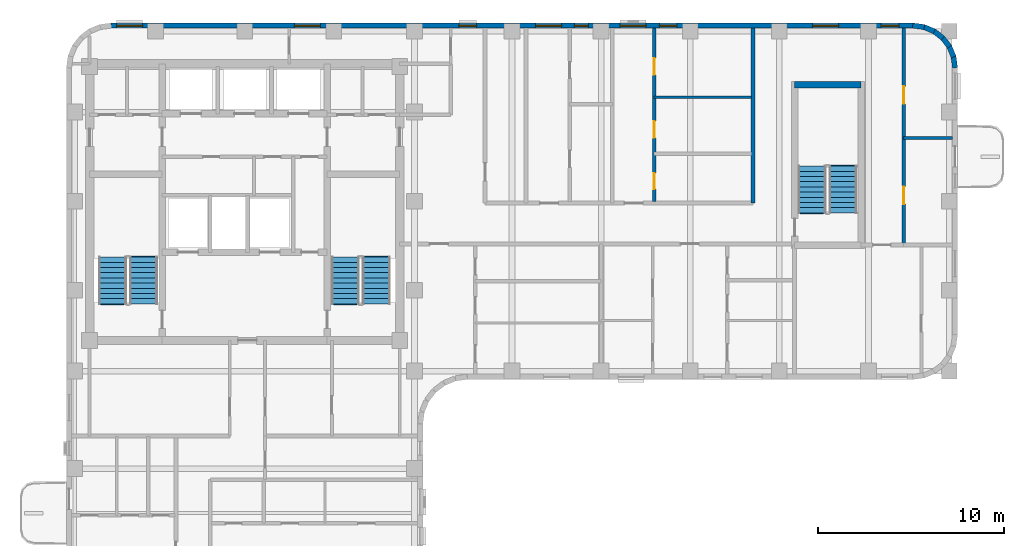
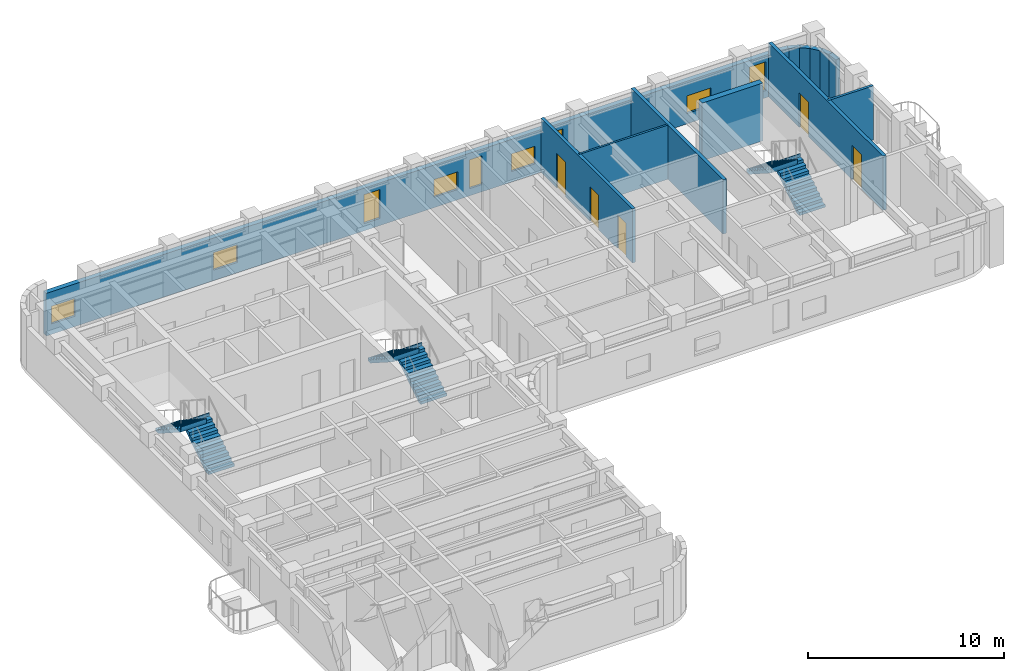
# One storey, part 7 of 10: 13 walls, 9 windows, 6 stair flights, 5 doors, 14 openings, 3 elements without a shape of their own.
"""IFC4 building model written with IfcOpenShell, lengths in metres."""

from ifc_helpers import new_model, si_unit, direction, frame, frame_2d, origin, place, context, subcontext, project, spatial, polyline, rectangle, outline, extrude, material, layer, layer_set, type_object, element, fill, aggregate, save


model = new_model("IFC4")

# Units and contexts
model_context = context("Model", 3, precision=1e-05, world=origin(), true_north=direction((0.0, 1.0)))
body_context = subcontext(model_context, "Body", "Model", "MODEL_VIEW")
ifc_project = project(units=[si_unit("LENGTHUNIT", "METRE"), si_unit("AREAUNIT", "SQUARE_METRE"), si_unit("VOLUMEUNIT", "CUBIC_METRE"), si_unit("PLANEANGLEUNIT", "RADIAN"), si_unit("MASSUNIT", "GRAM", prefix="KILO")], contexts=[model_context])

# Site, building, storey
site_placement = place(None, origin())
site = spatial("IfcSite", under=ifc_project, at=site_placement, CompositionType="ELEMENT")
building_placement = place(site_placement, origin())
building = spatial("IfcBuilding", under=site, at=building_placement, Name="Orvandelia Arch Residences", CompositionType="ELEMENT")
storey_placement = place(building_placement, frame((0.0, 0.0, 218.199951171875)))
storey = spatial("IfcBuildingStorey", under=building, at=storey_placement, Name="L57", CompositionType="ELEMENT", Elevation=218.199951171875)

# Walls
ifc_material_1 = material(Name="Concrete C50/60", Category="concrete")
ifc_layer_1 = layer(ifc_material_1, 0.35009765625, Name="Concrete C50/60", Category="concrete")
ifc_layer_set_1 = layer_set([ifc_layer_1], Name="Concrete C50/60")
wall_type_1 = type_object("IfcWallType", Name="WL-CORE-350", PredefinedType="SHEAR", material=ifc_layer_set_1)
wall_1_placement = place(storey_placement, frame((44.02001953125, 44.659912109375, 0.0), z_axis=(0.0, 0.0, 1.0), x_axis=(1.0, 0.0, 0.0)))
element("IfcWall", 1, at=wall_1_placement, inside=storey, type_object=wall_type_1, Name="East Stair Core Shear Wall L57-N", PredefinedType="SHEAR", context=body_context, shape_type="SweptSolid", body=[
    extrude(rectangle(XDim=3.580078125, YDim=0.35009765625, at=frame_2d((1.7900390625, 0.0))), origin(), (0.0, 0.0, 1.0), 3.60009765625),
])
ifc_material_2 = material(Name="Fire-Rated Corridor Partition")
ifc_layer_2 = layer(ifc_material_2, 0.199951171875, Name="Fire-Rated Corridor Partition")
ifc_layer_set_2 = layer_set([ifc_layer_2], Name="Fire-Rated Corridor Partition")
wall_type_2 = type_object("IfcWallType", Name="WL-CORR-200", PredefinedType="PARTITIONING", material=ifc_layer_set_2)
wall_2_placement = place(storey_placement, frame((41.780029296875, 38.300048828125, 0.0), z_axis=(0.0, 0.0, 1.0), x_axis=(0.0, 1.0, 0.0)))
element("IfcWall", 2, at=wall_2_placement, inside=storey, type_object=wall_type_2, Name="Interior Partition Wall WL-L57-ETV-W", PredefinedType="PARTITIONING", context=body_context, shape_type="SweptSolid", body=[
    extrude(rectangle(XDim=9.419921875, YDim=0.199951171875, at=frame_2d((4.7099609375, 0.0))), origin(), (0.0, 0.0, 1.0), 3.380126953125),
])

# Wall, openings, doors
wall_3_placement = place(storey_placement, frame((49.89990234375, 36.0400390625, 0.0), z_axis=(0.0, 0.0, 1.0), x_axis=(0.0, 1.0, 0.0)))
wall_3 = element("IfcWall", 3, at=wall_3_placement, inside=storey, type_object=wall_type_2, Name="Interior Partition Wall WL-L57-ETE-E", PredefinedType="PARTITIONING", context=body_context, shape_type="SweptSolid", body=[
    extrude(rectangle(XDim=11.679931640625, YDim=0.199951171875, at=frame_2d((5.83984375, 0.0))), origin(), (0.0, 0.0, 1.0), 3.380126953125),
])
opening_1_placement = place(wall_3_placement, frame((2.199951171875, 0.0, 0.0)))
opening_1 = element("IfcOpeningElement", 4, at=opening_1_placement, cuts=wall_3, Name="Opening D2", PredefinedType="OPENING", context=body_context, shape_type="SweptSolid", body=[
    extrude(rectangle(XDim=0.949951171875, YDim=2.14990234375, at=frame_2d((0.47509765625, 1.074951171875))), frame((0.0, 0.10986328125, 0.0), z_axis=(0.0, -1.0, 0.0), x_axis=(1.0, 0.0, 0.0)), (0.0, 0.0, 1.0), 0.219970703125),
])
opening_2_placement = place(wall_3_placement, frame((7.60009765625, 0.0, 0.0)))
opening_2 = element("IfcOpeningElement", 5, at=opening_2_placement, cuts=wall_3, Name="Opening D2", PredefinedType="OPENING", context=body_context, shape_type="SweptSolid", body=[
    extrude(rectangle(XDim=0.949951171875, YDim=2.14990234375, at=frame_2d((0.47509765625, 1.074951171875))), frame((0.0, 0.10986328125, 0.0), z_axis=(0.0, -1.0, 0.0), x_axis=(1.0, 0.0, 0.0)), (0.0, 0.0, 1.0), 0.219970703125),
])
ifc_material_3 = material(Name="Solid-Core Timber Interior Fire Door", Category="wood")
door_type_1 = type_object("IfcDoorType", Name="DR-APT-950", OperationType="NOTDEFINED", PredefinedType="DOOR", material=ifc_material_3)
door_1_placement = place(opening_1_placement, origin())
door_1 = element("IfcDoor", 6, at=door_1_placement, inside=storey, type_object=door_type_1, Name="DR-L57-EMTP1", OperationType="SINGLE_SWING_LEFT", OverallHeight=2.14990234375, OverallWidth=0.949951171875, PredefinedType="DOOR", context=body_context, shape_type="SweptSolid", body=[
    extrude(rectangle(XDim=0.949951171875, YDim=2.14990234375, at=frame_2d((0.47509765625, 1.074951171875))), frame((0.0, 0.02490234375, 0.0), z_axis=(0.0, -1.0, 0.0), x_axis=(1.0, 0.0, 0.0)), (0.0, 0.0, 1.0), 0.050048828125),
])
fill(opening_1, door_1)
door_2_placement = place(opening_2_placement, origin())
door_2 = element("IfcDoor", 7, at=door_2_placement, inside=storey, type_object=door_type_1, Name="DR-L57-EMTP2", OperationType="SINGLE_SWING_RIGHT", OverallHeight=2.14990234375, OverallWidth=0.949951171875, PredefinedType="DOOR", context=body_context, shape_type="SweptSolid", body=[
    extrude(rectangle(XDim=0.949951171875, YDim=2.14990234375, at=frame_2d((0.47509765625, 1.074951171875))), frame((0.0, 0.02490234375, 0.0), z_axis=(0.0, -1.0, 0.0), x_axis=(1.0, 0.0, 0.0)), (0.0, 0.0, 1.0), 0.050048828125),
])
fill(opening_2, door_2)

# Wall, openings, windows
ifc_material_4 = material(Name="Precast concrete C40/50", Category="concrete")
ifc_layer_3 = layer(ifc_material_4, 0.280029296875, Name="Precast concrete C40/50", Category="concrete")
ifc_layer_set_3 = layer_set([ifc_layer_3], Name="Precast concrete C40/50")
wall_type_3 = type_object("IfcWallType", Name="WL-EXT-STONE-280", PredefinedType="STANDARD", material=ifc_layer_set_3)
wall_4_placement = place(storey_placement, frame((7.199951171875, 47.860107421875, 0.0), z_axis=(0.0, 0.0, 1.0), x_axis=(1.0, 0.0, 0.0)))
wall_4 = element("IfcWall", 8, at=wall_4_placement, inside=storey, type_object=wall_type_3, Name="Coral-Limestone Precast Facade Wall L57-007", PredefinedType="STANDARD", context=body_context, shape_type="SweptSolid", body=[
    extrude(rectangle(XDim=43.199951171875, YDim=0.280029296875, at=frame_2d((21.60009765625, 0.0))), origin(), (0.0, 0.0, 1.0), 2.66015625),
])
opening_3_placement = place(wall_4_placement, frame((22.8701171875, 0.0, 0.64990234375)))
opening_3 = element("IfcOpeningElement", 9, at=opening_3_placement, cuts=wall_4, Name="Opening W10", PredefinedType="OPENING", context=body_context, shape_type="SweptSolid", body=[
    extrude(rectangle(XDim=1.39990234375, YDim=1.10009765625, at=frame_2d((0.699951171875, 0.550048828125))), frame((0.0, 0.14990234375, 0.0), z_axis=(0.0, -1.0, 0.0), x_axis=(1.0, 0.0, 0.0)), (0.0, 0.0, 1.0), 0.300048828125),
])
opening_4_placement = place(wall_4_placement, frame((29.532470703125, 0.0, 0.449951171875)))
opening_4 = element("IfcOpeningElement", 10, at=opening_4_placement, cuts=wall_4, Name="Opening W4", PredefinedType="OPENING", context=body_context, shape_type="SweptSolid", body=[
    extrude(rectangle(XDim=0.949951171875, YDim=1.800048828125, at=frame_2d((0.47509765625, 0.89990234375))), frame((0.0, 0.14990234375, 0.0), z_axis=(0.0, -1.0, 0.0), x_axis=(1.0, 0.0, 0.0)), (0.0, 0.0, 1.0), 0.300048828125),
])
opening_5_placement = place(wall_4_placement, frame((18.739990234375, 0.0, 0.449951171875)))
opening_5 = element("IfcOpeningElement", 11, at=opening_5_placement, cuts=wall_4, Name="Opening W4", PredefinedType="OPENING", context=body_context, shape_type="SweptSolid", body=[
    extrude(rectangle(XDim=0.949951171875, YDim=1.800048828125, at=frame_2d((0.47509765625, 0.89990234375))), frame((0.0, 0.14990234375, 0.0), z_axis=(0.0, -1.0, 0.0), x_axis=(1.0, 0.0, 0.0)), (0.0, 0.0, 1.0), 0.300048828125),
])
opening_6_placement = place(wall_4_placement, frame((41.487548828125, 0.0, 0.449951171875)))
opening_6 = element("IfcOpeningElement", 12, at=opening_6_placement, cuts=wall_4, Name="Opening W4", PredefinedType="OPENING", context=body_context, shape_type="SweptSolid", body=[
    extrude(rectangle(XDim=0.949951171875, YDim=1.800048828125, at=frame_2d((0.47509765625, 0.89990234375))), frame((0.0, 0.14990234375, 0.0), z_axis=(0.0, -1.0, 0.0), x_axis=(1.0, 0.0, 0.0)), (0.0, 0.0, 1.0), 0.300048828125),
])
opening_7_placement = place(wall_4_placement, frame((37.798583984375, 0.0, 0.64990234375)))
opening_7 = element("IfcOpeningElement", 13, at=opening_7_placement, cuts=wall_4, Name="Opening W10", PredefinedType="OPENING", context=body_context, shape_type="SweptSolid", body=[
    extrude(rectangle(XDim=1.39990234375, YDim=1.10009765625, at=frame_2d((0.699951171875, 0.550048828125))), frame((0.0, 0.14990234375, 0.0), z_axis=(0.0, -1.0, 0.0), x_axis=(1.0, 0.0, 0.0)), (0.0, 0.0, 1.0), 0.300048828125),
])
opening_8_placement = place(wall_4_placement, frame((0.3076171875, 0.0, 0.64990234375)))
opening_8 = element("IfcOpeningElement", 14, at=opening_8_placement, cuts=wall_4, Name="Opening W10", PredefinedType="OPENING", context=body_context, shape_type="SweptSolid", body=[
    extrude(rectangle(XDim=1.39990234375, YDim=1.10009765625, at=frame_2d((0.699951171875, 0.550048828125))), frame((0.0, 0.14990234375, 0.0), z_axis=(0.0, -1.0, 0.0), x_axis=(1.0, 0.0, 0.0)), (0.0, 0.0, 1.0), 0.300048828125),
])
opening_9_placement = place(wall_4_placement, frame((9.87744140625, 0.0, 0.64990234375)))
opening_9 = element("IfcOpeningElement", 15, at=opening_9_placement, cuts=wall_4, Name="Opening W10", PredefinedType="OPENING", context=body_context, shape_type="SweptSolid", body=[
    extrude(rectangle(XDim=1.39990234375, YDim=1.10009765625, at=frame_2d((0.699951171875, 0.550048828125))), frame((0.0, 0.14990234375, 0.0), z_axis=(0.0, -1.0, 0.0), x_axis=(1.0, 0.0, 0.0)), (0.0, 0.0, 1.0), 0.300048828125),
])
opening_10_placement = place(wall_4_placement, frame((24.95751953125, 0.0, 0.449951171875)))
opening_10 = element("IfcOpeningElement", 16, at=opening_10_placement, cuts=wall_4, Name="Opening W11", PredefinedType="OPENING", context=body_context, shape_type="SweptSolid", body=[
    extrude(rectangle(XDim=0.75, YDim=1.800048828125, at=frame_2d((0.375, 0.89990234375))), frame((0.0, 0.14990234375, 0.0), z_axis=(0.0, -1.0, 0.0), x_axis=(1.0, 0.0, 0.0)), (0.0, 0.0, 1.0), 0.300048828125),
])
opening_11_placement = place(wall_4_placement, frame((27.429931640625, 0.0, 0.64990234375)))
opening_11 = element("IfcOpeningElement", 17, at=opening_11_placement, cuts=wall_4, Name="Opening W10", PredefinedType="OPENING", context=body_context, shape_type="SweptSolid", body=[
    extrude(rectangle(XDim=1.39990234375, YDim=1.10009765625, at=frame_2d((0.699951171875, 0.550048828125))), frame((0.0, 0.14990234375, 0.0), z_axis=(0.0, -1.0, 0.0), x_axis=(1.0, 0.0, 0.0)), (0.0, 0.0, 1.0), 0.300048828125),
])
ifc_material_5 = material(Name="Tempered Low-E Insulated Glazing", Category="glass")
window_type_1 = type_object("IfcWindowType", Name="WIN-BED-0750x1800", PartitioningType="SINGLE_PANEL", PredefinedType="WINDOW", material=ifc_material_5)
window_1_placement = place(opening_10_placement, origin())
window_1 = element("IfcWindow", 18, at=window_1_placement, inside=storey, type_object=window_type_1, Name="Recessed Punched Window L57-008", OverallHeight=1.800048828125, OverallWidth=0.75, PartitioningType="SINGLE_PANEL", PredefinedType="WINDOW", context=body_context, shape_type="SweptSolid", body=[
    extrude(rectangle(XDim=0.75, YDim=1.800048828125, at=frame_2d((0.375, 0.89990234375))), frame((0.0, 0.030029296875, 0.0), z_axis=(0.0, -1.0, 0.0), x_axis=(1.0, 0.0, 0.0)), (0.0, 0.0, 1.0), 0.06005859375),
])
fill(opening_10, window_1)
window_type_2 = type_object("IfcWindowType", Name="WIN-CLR-1400x1100", PartitioningType="SINGLE_PANEL", PredefinedType="WINDOW", material=ifc_material_5)
window_2_placement = place(opening_3_placement, origin())
window_2 = element("IfcWindow", 19, at=window_2_placement, inside=storey, type_object=window_type_2, Name="Recessed Punched Window L57-001", OverallHeight=1.10009765625, OverallWidth=1.39990234375, PartitioningType="SINGLE_PANEL", PredefinedType="WINDOW", context=body_context, shape_type="SweptSolid", body=[
    extrude(rectangle(XDim=1.39990234375, YDim=1.10009765625, at=frame_2d((0.699951171875, 0.550048828125))), frame((0.0, 0.030029296875, 0.0), z_axis=(0.0, -1.0, 0.0), x_axis=(1.0, 0.0, 0.0)), (0.0, 0.0, 1.0), 0.06005859375),
])
fill(opening_3, window_2)
window_3_placement = place(opening_7_placement, origin())
window_3 = element("IfcWindow", 20, at=window_3_placement, inside=storey, type_object=window_type_2, Name="Recessed Punched Window L57-005", OverallHeight=1.10009765625, OverallWidth=1.39990234375, PartitioningType="SINGLE_PANEL", PredefinedType="WINDOW", context=body_context, shape_type="SweptSolid", body=[
    extrude(rectangle(XDim=1.39990234375, YDim=1.10009765625, at=frame_2d((0.699951171875, 0.550048828125))), frame((0.0, 0.030029296875, 0.0), z_axis=(0.0, -1.0, 0.0), x_axis=(1.0, 0.0, 0.0)), (0.0, 0.0, 1.0), 0.06005859375),
])
fill(opening_7, window_3)
window_4_placement = place(opening_8_placement, origin())
window_4 = element("IfcWindow", 21, at=window_4_placement, inside=storey, type_object=window_type_2, Name="Recessed Punched Window L57-006", OverallHeight=1.10009765625, OverallWidth=1.39990234375, PartitioningType="SINGLE_PANEL", PredefinedType="WINDOW", context=body_context, shape_type="SweptSolid", body=[
    extrude(rectangle(XDim=1.39990234375, YDim=1.10009765625, at=frame_2d((0.699951171875, 0.550048828125))), frame((0.0, 0.030029296875, 0.0), z_axis=(0.0, -1.0, 0.0), x_axis=(1.0, 0.0, 0.0)), (0.0, 0.0, 1.0), 0.06005859375),
])
fill(opening_8, window_4)
window_5_placement = place(opening_9_placement, origin())
window_5 = element("IfcWindow", 22, at=window_5_placement, inside=storey, type_object=window_type_2, Name="Recessed Punched Window L57-007", OverallHeight=1.10009765625, OverallWidth=1.39990234375, PartitioningType="SINGLE_PANEL", PredefinedType="WINDOW", context=body_context, shape_type="SweptSolid", body=[
    extrude(rectangle(XDim=1.39990234375, YDim=1.10009765625, at=frame_2d((0.699951171875, 0.550048828125))), frame((0.0, 0.030029296875, 0.0), z_axis=(0.0, -1.0, 0.0), x_axis=(1.0, 0.0, 0.0)), (0.0, 0.0, 1.0), 0.06005859375),
])
fill(opening_9, window_5)
window_6_placement = place(opening_11_placement, origin())
window_6 = element("IfcWindow", 23, at=window_6_placement, inside=storey, type_object=window_type_2, Name="Recessed Punched Window L57-009", OverallHeight=1.10009765625, OverallWidth=1.39990234375, PartitioningType="SINGLE_PANEL", PredefinedType="WINDOW", context=body_context, shape_type="SweptSolid", body=[
    extrude(rectangle(XDim=1.39990234375, YDim=1.10009765625, at=frame_2d((0.699951171875, 0.550048828125))), frame((0.0, 0.030029296875, 0.0), z_axis=(0.0, -1.0, 0.0), x_axis=(1.0, 0.0, 0.0)), (0.0, 0.0, 1.0), 0.06005859375),
])
fill(opening_11, window_6)
window_type_3 = type_object("IfcWindowType", Name="WIN-RES-0950x1800", PartitioningType="SINGLE_PANEL", PredefinedType="WINDOW", material=ifc_material_5)
window_7_placement = place(opening_4_placement, origin())
window_7 = element("IfcWindow", 24, at=window_7_placement, inside=storey, type_object=window_type_3, Name="Recessed Punched Window L57-002", OverallHeight=1.800048828125, OverallWidth=0.949951171875, PartitioningType="SINGLE_PANEL", PredefinedType="WINDOW", context=body_context, shape_type="SweptSolid", body=[
    extrude(rectangle(XDim=0.949951171875, YDim=1.800048828125, at=frame_2d((0.47509765625, 0.89990234375))), frame((0.0, 0.030029296875, 0.0), z_axis=(0.0, -1.0, 0.0), x_axis=(1.0, 0.0, 0.0)), (0.0, 0.0, 1.0), 0.06005859375),
])
fill(opening_4, window_7)
window_8_placement = place(opening_5_placement, origin())
window_8 = element("IfcWindow", 25, at=window_8_placement, inside=storey, type_object=window_type_3, Name="Recessed Punched Window L57-003", OverallHeight=1.800048828125, OverallWidth=0.949951171875, PartitioningType="SINGLE_PANEL", PredefinedType="WINDOW", context=body_context, shape_type="SweptSolid", body=[
    extrude(rectangle(XDim=0.949951171875, YDim=1.800048828125, at=frame_2d((0.47509765625, 0.89990234375))), frame((0.0, 0.030029296875, 0.0), z_axis=(0.0, -1.0, 0.0), x_axis=(1.0, 0.0, 0.0)), (0.0, 0.0, 1.0), 0.06005859375),
])
fill(opening_5, window_8)
window_9_placement = place(opening_6_placement, origin())
window_9 = element("IfcWindow", 26, at=window_9_placement, inside=storey, type_object=window_type_3, Name="Recessed Punched Window L57-004", OverallHeight=1.800048828125, OverallWidth=0.949951171875, PartitioningType="SINGLE_PANEL", PredefinedType="WINDOW", context=body_context, shape_type="SweptSolid", body=[
    extrude(rectangle(XDim=0.949951171875, YDim=1.800048828125, at=frame_2d((0.47509765625, 0.89990234375))), frame((0.0, 0.030029296875, 0.0), z_axis=(0.0, -1.0, 0.0), x_axis=(1.0, 0.0, 0.0)), (0.0, 0.0, 1.0), 0.06005859375),
])
fill(opening_6, window_9)

# Walls
wall_5_placement = place(storey_placement, frame((50.381591796875, 47.861083984375, 0.0), z_axis=(0.0, 0.0, 1.0), x_axis=(0.991447664465, -0.130504898859, 0.0)))
element("IfcWall", 27, at=wall_5_placement, inside=storey, type_object=wall_type_3, Name="Coral-Limestone Precast Facade Wall L57-008", PredefinedType="STANDARD", context=body_context, shape_type="SweptSolid", body=[
    extrude(rectangle(XDim=0.626708984375, YDim=0.280029296875, at=frame_2d((0.3134765625, 0.0))), origin(), (0.0, 0.0, 1.0), 2.66015625),
])
for number, where, z_axis, x_axis, name in (
    (28, (50.967529296875, 47.788818359375, 0.0), (0.0, 0.0, 1.0), (0.924031075431, -0.382317370307, 0.0), "Coral-Limestone Precast Facade Wall L57-009"),
    (29, (51.514892578125, 47.5673828125, 0.0), (0.0, 0.0, 1.0), (0.793405610854, -0.608693302629, 0.0), "Coral-Limestone Precast Facade Wall L57-010"),
    (30, (51.986083984375, 47.2119140625, 0.0), (0.0, 0.0, 1.0), (0.608693302629, -0.793405610854, 0.0), "Coral-Limestone Precast Facade Wall L57-011"),
    (31, (52.34912109375, 46.746337890625, 0.0), (0.0, 0.0, 1.0), (0.382650053678, -0.92389335771, 0.0), "Coral-Limestone Precast Facade Wall L57-012"),
    (32, (52.579345703125, 46.202880859375, 0.0), (0.0, 0.0, 1.0), (0.130555323746, -0.9914410257, 0.0), "Coral-Limestone Precast Facade Wall L57-013"),
):
    element("IfcWall", number, at=place(storey_placement, frame(where, z_axis=z_axis, x_axis=x_axis)), inside=storey, type_object=wall_type_3, Name=name, PredefinedType="STANDARD", context=body_context, shape_type="SweptSolid", body=[
        extrude(rectangle(XDim=0.62646484375, YDim=0.280029296875, at=frame_2d((0.313232421875, 0.0))), origin(), (0.0, 0.0, 1.0), 2.66015625),
    ])
ifc_material_6 = material(Name="Lightweight Gypsum Stud Partition")
ifc_layer_4 = layer(ifc_material_6, 0.1201171875, Name="Lightweight Gypsum Stud Partition")
ifc_layer_set_4 = layer_set([ifc_layer_4], Name="Lightweight Gypsum Stud Partition")
wall_type_4 = type_object("IfcWallType", Name="WL-PART-120", PredefinedType="PARTITIONING", material=ifc_layer_set_4)
wall_6_placement = place(storey_placement, frame((36.4599609375, 43.99609375, 0.0), z_axis=(0.0, 0.0, 1.0), x_axis=(1.0, 0.0, 0.0)))
element("IfcWall", 33, at=wall_6_placement, inside=storey, type_object=wall_type_4, Name="Interior Partition Wall WL-L57-U08-H2", PredefinedType="PARTITIONING", context=body_context, shape_type="SweptSolid", body=[
    extrude(rectangle(XDim=5.239990234375, YDim=0.1201171875, at=frame_2d((2.6201171875, 0.0))), origin(), (0.0, 0.0, 1.0), 3.380126953125),
])
ifc_material_7 = material(Name="Acoustic Gypsum Stud Partition")
ifc_layer_5 = layer(ifc_material_7, 0.14990234375, Name="Acoustic Gypsum Stud Partition")
ifc_layer_set_5 = layer_set([ifc_layer_5], Name="Acoustic Gypsum Stud Partition")
wall_type_5 = type_object("IfcWallType", Name="WL-PART-150", PredefinedType="PARTITIONING", material=ifc_layer_set_5)
wall_7_placement = place(storey_placement, frame((49.89990234375, 41.800048828125, 0.0), z_axis=(0.0, 0.0, 1.0), x_axis=(1.0, 0.0, 0.0)))
element("IfcWall", 34, at=wall_7_placement, inside=storey, type_object=wall_type_5, Name="Interior Partition Wall WL-L57-EMTIP-M", PredefinedType="PARTITIONING", context=body_context, shape_type="SweptSolid", body=[
    extrude(rectangle(XDim=2.6201171875, YDim=0.14990234375, at=frame_2d((1.31005859375, 0.0))), origin(), (0.0, 0.0, 1.0), 3.380126953125),
])

# Wall, openings, doors
ifc_material_8 = material(Name="Moisture-Resistant Plumbing Wall")
ifc_layer_6 = layer(ifc_material_8, 0.179931640625, Name="Moisture-Resistant Plumbing Wall")
ifc_layer_set_6 = layer_set([ifc_layer_6], Name="Moisture-Resistant Plumbing Wall")
wall_type_6 = type_object("IfcWallType", Name="WL-WET-180", PredefinedType="PLUMBINGWALL", material=ifc_layer_set_6)
wall_8_placement = place(storey_placement, frame((36.4599609375, 38.3798828125, 0.0), z_axis=(0.0, 0.0, 1.0), x_axis=(0.0, 1.0, 0.0)))
wall_8 = element("IfcWall", 35, at=wall_8_placement, inside=storey, type_object=wall_type_6, Name="Interior Partition Wall WL-L57-U08-VT", PredefinedType="PLUMBINGWALL", context=body_context, shape_type="SweptSolid", body=[
    extrude(rectangle(XDim=9.340087890625, YDim=0.179931640625, at=frame_2d((4.669921875, 0.0))), origin(), (0.0, 0.0, 1.0), 3.380126953125),
])
opening_12_placement = place(wall_8_placement, frame((0.66748046875, 0.0, 0.0)))
opening_12 = element("IfcOpeningElement", 36, at=opening_12_placement, cuts=wall_8, Name="Opening D4", PredefinedType="OPENING", context=body_context, shape_type="SweptSolid", body=[
    extrude(rectangle(XDim=0.860107421875, YDim=2.10009765625, at=frame_2d((0.43017578125, 1.050048828125))), frame((0.0, 0.10009765625, 0.0), z_axis=(0.0, -1.0, 0.0), x_axis=(1.0, 0.0, 0.0)), (0.0, 0.0, 1.0), 0.199951171875),
])
opening_13_placement = place(wall_8_placement, frame((3.430419921875, 0.0, 0.0)))
opening_13 = element("IfcOpeningElement", 37, at=opening_13_placement, cuts=wall_8, Name="Opening D3", PredefinedType="OPENING", context=body_context, shape_type="SweptSolid", body=[
    extrude(rectangle(XDim=0.89990234375, YDim=2.14990234375, at=frame_2d((0.449951171875, 1.074951171875))), frame((0.0, 0.10009765625, 0.0), z_axis=(0.0, -1.0, 0.0), x_axis=(1.0, 0.0, 0.0)), (0.0, 0.0, 1.0), 0.199951171875),
])
opening_14_placement = place(wall_8_placement, frame((6.828369140625, 0.0, 0.0)))
opening_14 = element("IfcOpeningElement", 38, at=opening_14_placement, cuts=wall_8, Name="Opening D3", PredefinedType="OPENING", context=body_context, shape_type="SweptSolid", body=[
    extrude(rectangle(XDim=0.89990234375, YDim=2.14990234375, at=frame_2d((0.449951171875, 1.074951171875))), frame((0.0, 0.10009765625, 0.0), z_axis=(0.0, -1.0, 0.0), x_axis=(1.0, 0.0, 0.0)), (0.0, 0.0, 1.0), 0.199951171875),
])
ifc_material_9 = material(Name="Engineered Timber Flush Door", Category="wood")
door_type_2 = type_object("IfcDoorType", Name="DR-INT-900", OperationType="NOTDEFINED", PredefinedType="DOOR", material=ifc_material_9)
door_3_placement = place(opening_13_placement, origin())
door_3 = element("IfcDoor", 39, at=door_3_placement, inside=storey, type_object=door_type_2, Name="DR-L57-U08-KIT", OperationType="SINGLE_SWING_RIGHT", OverallHeight=2.14990234375, OverallWidth=0.89990234375, PredefinedType="DOOR", context=body_context, shape_type="SweptSolid", body=[
    extrude(rectangle(XDim=0.89990234375, YDim=2.14990234375, at=frame_2d((0.449951171875, 1.074951171875))), frame((0.0, 0.02490234375, 0.0), z_axis=(0.0, -1.0, 0.0), x_axis=(1.0, 0.0, 0.0)), (0.0, 0.0, 1.0), 0.050048828125),
])
fill(opening_13, door_3)
door_4_placement = place(opening_14_placement, origin())
door_4 = element("IfcDoor", 40, at=door_4_placement, inside=storey, type_object=door_type_2, Name="DR-L57-U08-BD1", OperationType="SINGLE_SWING_LEFT", OverallHeight=2.14990234375, OverallWidth=0.89990234375, PredefinedType="DOOR", context=body_context, shape_type="SweptSolid", body=[
    extrude(rectangle(XDim=0.89990234375, YDim=2.14990234375, at=frame_2d((0.449951171875, 1.074951171875))), frame((0.0, 0.02490234375, 0.0), z_axis=(0.0, -1.0, 0.0), x_axis=(1.0, 0.0, 0.0)), (0.0, 0.0, 1.0), 0.050048828125),
])
fill(opening_14, door_4)
ifc_material_10 = material(Name="Moisture-Sealed Timber Bathroom Door", Category="wood")
door_type_3 = type_object("IfcDoorType", Name="DR-WET-900", OperationType="NOTDEFINED", PredefinedType="DOOR", material=ifc_material_10)
door_5_placement = place(opening_12_placement, origin())
door_5 = element("IfcDoor", 41, at=door_5_placement, inside=storey, type_object=door_type_3, Name="DR-L57-U08-BTH", OperationType="SINGLE_SWING_LEFT", OverallHeight=2.10009765625, OverallWidth=0.860107421875, PredefinedType="DOOR", context=body_context, shape_type="SweptSolid", body=[
    extrude(rectangle(XDim=0.860107421875, YDim=2.10009765625, at=frame_2d((0.43017578125, 1.050048828125))), frame((0.0, 0.02490234375, 0.0), z_axis=(0.0, -1.0, 0.0), x_axis=(1.0, 0.0, 0.0)), (0.0, 0.0, 1.0), 0.050048828125),
])
fill(opening_12, door_5)

# Stair, stair flights
ifc_material_11 = material(Name="Concrete C40/50", Category="concrete")
stair_type = type_object("IfcStairType", Name="STAIR-RC-DOGLEG", PredefinedType="HALF_TURN_STAIR", material=ifc_material_11)
stair_1_placement = place(storey_placement, origin())
stair_1 = element("IfcStair", 42, at=stair_1_placement, inside=storey, type_object=stair_type, Name="L57 Protected Exit Stair ST-1", PredefinedType="HALF_TURN_STAIR")
stair_flight_type = type_object("IfcStairFlightType", Name="STFLT-RC-1520", PredefinedType="STRAIGHT", material=ifc_material_11)
stair_flight_1_placement = place(storey_placement, frame((8.9599609375, 32.8701171875, 0.0), z_axis=(0.0, 0.0, 1.0), x_axis=(0.0, 1.0, 0.0)))
stair_flight_1 = element("IfcStairFlight", 43, at=stair_flight_1_placement, type_object=stair_flight_type, Name="ST-1 flight 1", NumberOfRisers=10, NumberOfTreads=9, PredefinedType="STRAIGHT", RiserHeight=0.18, TreadLength=0.28, context=body_context, shape_type="SweptSolid", body=[
    extrude(outline(polyline([(0.0, 0.0), (0.0, 0.179931640625), (0.280029296875, 0.179931640625), (0.280029296875, 0.360107421875), (0.56005859375, 0.360107421875), (0.56005859375, 0.5400390625), (0.840087890625, 0.5400390625), (0.840087890625, 0.719970703125), (1.1201171875, 0.719970703125), (1.1201171875, 0.89990234375), (1.39990234375, 0.89990234375), (1.39990234375, 1.080078125), (1.679931640625, 1.080078125), (1.679931640625, 1.260009765625), (1.9599609375, 1.260009765625), (1.9599609375, 1.43994140625), (2.239990234375, 1.43994140625), (2.239990234375, 1.6201171875), (2.52001953125, 1.6201171875), (2.52001953125, 1.800048828125), (2.580078125, 1.800048828125), (2.580078125, 1.6201171875), (2.52001953125, 1.44189453125), (0.277099609375, 0.0), (0.0, 0.0)])), frame((0.0, 0.760009765625, 0.0), z_axis=(0.0, -1.0, 0.0), x_axis=(1.0, 0.0, 0.0)), (0.0, 0.0, 1.0), 1.52001953125),
])
stair_flight_2_placement = place(storey_placement, frame((7.2900390625, 35.389892578125, 1.800048828125), z_axis=(0.0, 0.0, 1.0), x_axis=(0.0, -1.0, 0.0)))
stair_flight_2 = element("IfcStairFlight", 44, at=stair_flight_2_placement, type_object=stair_flight_type, Name="ST-1 flight 2", NumberOfRisers=10, NumberOfTreads=9, PredefinedType="STRAIGHT", RiserHeight=0.18, TreadLength=0.28, context=body_context, shape_type="SweptSolid", body=[
    extrude(outline(polyline([(0.0, 0.0), (0.0, 0.179931640625), (0.280029296875, 0.179931640625), (0.280029296875, 0.360107421875), (0.56005859375, 0.360107421875), (0.56005859375, 0.5400390625), (0.840087890625, 0.5400390625), (0.840087890625, 0.719970703125), (1.1201171875, 0.719970703125), (1.1201171875, 0.89990234375), (1.39990234375, 0.89990234375), (1.39990234375, 1.080078125), (1.679931640625, 1.080078125), (1.679931640625, 1.260009765625), (1.9599609375, 1.260009765625), (1.9599609375, 1.43994140625), (2.239990234375, 1.43994140625), (2.239990234375, 1.6201171875), (2.52001953125, 1.6201171875), (2.52001953125, 1.800048828125), (2.580078125, 1.800048828125), (2.580078125, 1.6201171875), (2.52001953125, 1.44189453125), (0.277099609375, 0.0), (0.0, 0.0)])), frame((0.0, 0.760009765625, 0.0), z_axis=(0.0, -1.0, 0.0), x_axis=(1.0, 0.0, 0.0)), (0.0, 0.0, 1.0), 1.52001953125),
])
aggregate(stair_1, [stair_flight_1, stair_flight_2])

stair_2_placement = place(storey_placement, origin())
stair_2 = element("IfcStair", 45, at=stair_2_placement, inside=storey, type_object=stair_type, Name="L57 Protected Exit Stair ST-2", PredefinedType="HALF_TURN_STAIR")
stair_flight_3_placement = place(storey_placement, frame((21.489990234375, 32.8701171875, 0.0), z_axis=(0.0, 0.0, 1.0), x_axis=(0.0, 1.0, 0.0)))
stair_flight_3 = element("IfcStairFlight", 46, at=stair_flight_3_placement, type_object=stair_flight_type, Name="ST-2 flight 1", NumberOfRisers=10, NumberOfTreads=9, PredefinedType="STRAIGHT", RiserHeight=0.18, TreadLength=0.28, context=body_context, shape_type="SweptSolid", body=[
    extrude(outline(polyline([(0.0, 0.0), (0.0, 0.179931640625), (0.280029296875, 0.179931640625), (0.280029296875, 0.360107421875), (0.56005859375, 0.360107421875), (0.56005859375, 0.5400390625), (0.840087890625, 0.5400390625), (0.840087890625, 0.719970703125), (1.1201171875, 0.719970703125), (1.1201171875, 0.89990234375), (1.39990234375, 0.89990234375), (1.39990234375, 1.080078125), (1.679931640625, 1.080078125), (1.679931640625, 1.260009765625), (1.9599609375, 1.260009765625), (1.9599609375, 1.43994140625), (2.239990234375, 1.43994140625), (2.239990234375, 1.6201171875), (2.52001953125, 1.6201171875), (2.52001953125, 1.800048828125), (2.580078125, 1.800048828125), (2.580078125, 1.6201171875), (2.52001953125, 1.44189453125), (0.277099609375, 0.0), (0.0, 0.0)])), frame((0.0, 0.760009765625, 0.0), z_axis=(0.0, -1.0, 0.0), x_axis=(1.0, 0.0, 0.0)), (0.0, 0.0, 1.0), 1.52001953125),
])
stair_flight_4_placement = place(storey_placement, frame((19.820068359375, 35.389892578125, 1.800048828125), z_axis=(0.0, 0.0, 1.0), x_axis=(0.0, -1.0, 0.0)))
stair_flight_4 = element("IfcStairFlight", 47, at=stair_flight_4_placement, type_object=stair_flight_type, Name="ST-2 flight 2", NumberOfRisers=10, NumberOfTreads=9, PredefinedType="STRAIGHT", RiserHeight=0.18, TreadLength=0.28, context=body_context, shape_type="SweptSolid", body=[
    extrude(outline(polyline([(0.0, 0.0), (0.0, 0.179931640625), (0.280029296875, 0.179931640625), (0.280029296875, 0.360107421875), (0.56005859375, 0.360107421875), (0.56005859375, 0.5400390625), (0.840087890625, 0.5400390625), (0.840087890625, 0.719970703125), (1.1201171875, 0.719970703125), (1.1201171875, 0.89990234375), (1.39990234375, 0.89990234375), (1.39990234375, 1.080078125), (1.679931640625, 1.080078125), (1.679931640625, 1.260009765625), (1.9599609375, 1.260009765625), (1.9599609375, 1.43994140625), (2.239990234375, 1.43994140625), (2.239990234375, 1.6201171875), (2.52001953125, 1.6201171875), (2.52001953125, 1.800048828125), (2.580078125, 1.800048828125), (2.580078125, 1.6201171875), (2.52001953125, 1.44189453125), (0.277099609375, 0.0), (0.0, 0.0)])), frame((0.0, 0.760009765625, 0.0), z_axis=(0.0, -1.0, 0.0), x_axis=(1.0, 0.0, 0.0)), (0.0, 0.0, 1.0), 1.52001953125),
])
aggregate(stair_2, [stair_flight_3, stair_flight_4])

stair_3_placement = place(storey_placement, origin())
stair_3 = element("IfcStair", 48, at=stair_3_placement, inside=storey, type_object=stair_type, Name="L57 East Wing Exit Stair ST-3", PredefinedType="HALF_TURN_STAIR")
stair_flight_5_placement = place(storey_placement, frame((46.639892578125, 37.77001953125, 0.0), z_axis=(0.0, 0.0, 1.0), x_axis=(0.0, 1.0, 0.0)))
stair_flight_5 = element("IfcStairFlight", 49, at=stair_flight_5_placement, type_object=stair_flight_type, Name="ST-3 flight 1", NumberOfRisers=10, NumberOfTreads=9, PredefinedType="STRAIGHT", RiserHeight=0.18, TreadLength=0.28, context=body_context, shape_type="SweptSolid", body=[
    extrude(outline(polyline([(0.0, 0.0), (0.0, 0.179931640625), (0.280029296875, 0.179931640625), (0.280029296875, 0.360107421875), (0.56005859375, 0.360107421875), (0.56005859375, 0.5400390625), (0.840087890625, 0.5400390625), (0.840087890625, 0.719970703125), (1.1201171875, 0.719970703125), (1.1201171875, 0.89990234375), (1.39990234375, 0.89990234375), (1.39990234375, 1.080078125), (1.679931640625, 1.080078125), (1.679931640625, 1.260009765625), (1.9599609375, 1.260009765625), (1.9599609375, 1.43994140625), (2.239990234375, 1.43994140625), (2.239990234375, 1.6201171875), (2.52001953125, 1.6201171875), (2.52001953125, 1.800048828125), (2.580078125, 1.800048828125), (2.580078125, 1.6201171875), (2.52001953125, 1.44189453125), (0.277099609375, 0.0), (0.0, 0.0)])), frame((0.0, 0.760009765625, 0.0), z_axis=(0.0, -1.0, 0.0), x_axis=(1.0, 0.0, 0.0)), (0.0, 0.0, 1.0), 1.52001953125),
])
stair_flight_6_placement = place(storey_placement, frame((44.969970703125, 40.2900390625, 1.800048828125), z_axis=(0.0, 0.0, 1.0), x_axis=(0.0, -1.0, 0.0)))
stair_flight_6 = element("IfcStairFlight", 50, at=stair_flight_6_placement, type_object=stair_flight_type, Name="ST-3 flight 2", NumberOfRisers=10, NumberOfTreads=9, PredefinedType="STRAIGHT", RiserHeight=0.18, TreadLength=0.28, context=body_context, shape_type="SweptSolid", body=[
    extrude(outline(polyline([(0.0, 0.0), (0.0, 0.179931640625), (0.280029296875, 0.179931640625), (0.280029296875, 0.360107421875), (0.56005859375, 0.360107421875), (0.56005859375, 0.5400390625), (0.840087890625, 0.5400390625), (0.840087890625, 0.719970703125), (1.1201171875, 0.719970703125), (1.1201171875, 0.89990234375), (1.39990234375, 0.89990234375), (1.39990234375, 1.080078125), (1.679931640625, 1.080078125), (1.679931640625, 1.260009765625), (1.9599609375, 1.260009765625), (1.9599609375, 1.43994140625), (2.239990234375, 1.43994140625), (2.239990234375, 1.6201171875), (2.52001953125, 1.6201171875), (2.52001953125, 1.800048828125), (2.580078125, 1.800048828125), (2.580078125, 1.6201171875), (2.52001953125, 1.44189453125), (0.277099609375, 0.0), (0.0, 0.0)])), frame((0.0, 0.760009765625, 0.0), z_axis=(0.0, -1.0, 0.0), x_axis=(1.0, 0.0, 0.0)), (0.0, 0.0, 1.0), 1.52001953125),
])
aggregate(stair_3, [stair_flight_5, stair_flight_6])

save(model, "model.ifc")
